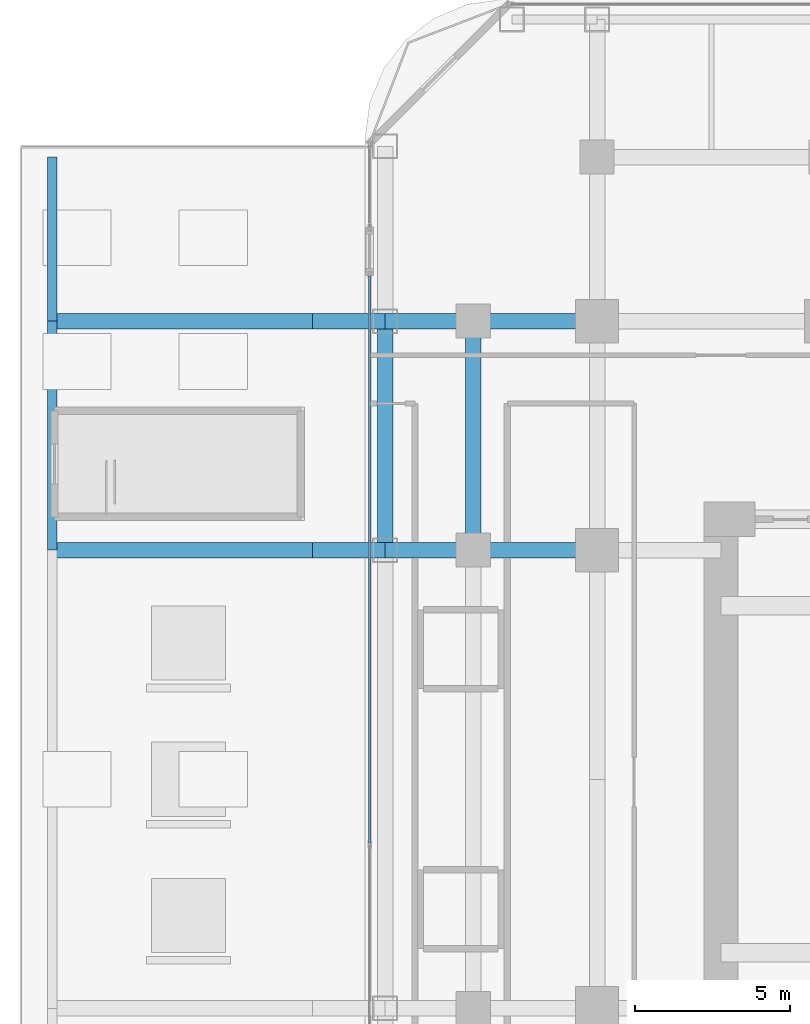
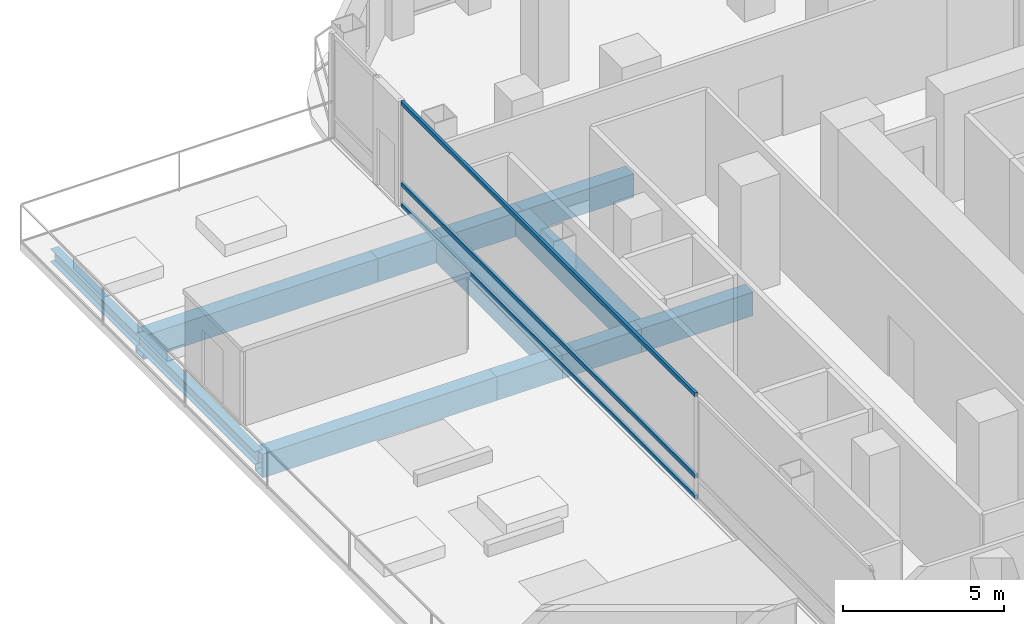
# One storey, part 13 of 29: 12 beams, 3 members, 1 element without a shape of its own.
"""IFC4 building model written with IfcOpenShell, lengths in metres."""

from ifc_helpers import new_model, si_unit, direction, frame, origin, origin_2d, place, context, subcontext, project, spatial, hollow_rectangle, i_section, extrude, material, layer, layer_set, material_profile, profile_set, type_object, element, aggregate, save


model = new_model("IFC4")

# Units and contexts
model_context = context("Model", 3, precision=1e-05, world=origin(), true_north=direction((0.0, 1.0)))
body_context = subcontext(model_context, "Body", "Model", "MODEL_VIEW")
ifc_project = project(units=[si_unit("LENGTHUNIT", "METRE"), si_unit("AREAUNIT", "SQUARE_METRE"), si_unit("VOLUMEUNIT", "CUBIC_METRE"), si_unit("PLANEANGLEUNIT", "RADIAN"), si_unit("MASSUNIT", "GRAM", prefix="KILO")], contexts=[model_context])

# Site, building, storey
site_placement = place(None, origin())
site = spatial("IfcSite", under=ifc_project, at=site_placement, CompositionType="ELEMENT")
building_placement = place(site_placement, origin())
building = spatial("IfcBuilding", under=site, at=building_placement, Name="Khorvyn Point Tower", CompositionType="ELEMENT")
storey_placement = place(building_placement, frame((0.0, 0.0, 26.39990234375)))
storey = spatial("IfcBuildingStorey", under=building, at=storey_placement, Name="L07", CompositionType="ELEMENT", Elevation=26.39990234375)

# Curtain wall, members
ifc_material_1 = material(Name="Anodised aluminium 6063-T6 and laminated Low-E glass", Category="aluminium")
ifc_layer = layer(ifc_material_1, 0.18994140625)
ifc_layer_set = layer_set([ifc_layer], Name="Stick-Built Finned Residential Curtain Wall CW-SYS-02")
curtain_wall_type = type_object("IfcCurtainWallType", Name="Stick-Built Finned Residential Curtain Wall CW-SYS-02", PredefinedType="NOTDEFINED", material=ifc_layer_set)
curtain_wall_placement = place(storey_placement, origin())
curtain_wall = element("IfcCurtainWall", 1, at=curtain_wall_placement, inside=storey, type_object=curtain_wall_type, Name="Curtain Wall", PredefinedType="NOTDEFINED")
ifc_material_2 = material(Name="Anodised aluminium 6063-T6", Category="aluminium")
ifc_material_profile_1 = material_profile(ifc_material_2, hollow_rectangle(XDim=0.10009765625, YDim=0.159912109375, WallThickness=0.00439453125, at=origin_2d()))
ifc_profile_set_1 = profile_set([ifc_material_profile_1], Name="Anodised aluminium 6063-T6 ALU-TRN-100x160")
member_type = type_object("IfcMemberType", Name="Anodised Aluminium 6063-T6 Transom ALU-TRN-100x160", PredefinedType="USERDEFINED", material=ifc_profile_set_1)
member_1_placement = place(storey_placement, frame((-22.14990234375, -2.054931640625, 0.050048828125), z_axis=(0.0, 1.0, 0.0), x_axis=(-1.0, 0.0, 0.0)))
member_1 = element("IfcMember", 2, at=member_1_placement, type_object=member_type, Name="Transom", ObjectType="TRANSOM", PredefinedType="USERDEFINED", context=body_context, shape_type="SweptSolid", body=[
    extrude(hollow_rectangle(XDim=0.10009765625, YDim=0.159912109375, WallThickness=0.00439453125, at=origin_2d()), origin(), (0.0, 0.0, 1.0), 18.294921875),
])
member_2_placement = place(storey_placement, frame((-22.14990234375, -2.054931640625, 0.85009765625), z_axis=(0.0, 1.0, 0.0), x_axis=(-1.0, 0.0, 0.0)))
member_2 = element("IfcMember", 3, at=member_2_placement, type_object=member_type, Name="Transom", ObjectType="TRANSOM", PredefinedType="USERDEFINED", context=body_context, shape_type="SweptSolid", body=[
    extrude(hollow_rectangle(XDim=0.10009765625, YDim=0.159912109375, WallThickness=0.00439453125, at=origin_2d()), origin(), (0.0, 0.0, 1.0), 18.294921875),
])
member_3_placement = place(storey_placement, frame((-22.14990234375, -2.054931640625, 3.93017578125), z_axis=(0.0, 1.0, 0.0), x_axis=(-1.0, 0.0, 0.0)))
member_3 = element("IfcMember", 4, at=member_3_placement, type_object=member_type, Name="Transom", ObjectType="TRANSOM", PredefinedType="USERDEFINED", context=body_context, shape_type="SweptSolid", body=[
    extrude(hollow_rectangle(XDim=0.10009765625, YDim=0.159912109375, WallThickness=0.00439453125, at=origin_2d()), origin(), (0.0, 0.0, 1.0), 18.294921875),
])
aggregate(curtain_wall, [member_1, member_2, member_3])

# Beams
ifc_material_3 = material(Name="Steel S355", Category="steel")
ifc_material_profile_2 = material_profile(ifc_material_3, i_section(OverallWidth=0.300048828125, OverallDepth=0.488037109375, WebThickness=0.010986328125, FlangeThickness=0.01806640625, at=origin_2d()))
ifc_profile_set_2 = profile_set([ifc_material_profile_2], Name="Steel S355 H488x300x11x18")
beam_type_1 = type_object("IfcBeamType", Name="Steel S355 Spandrel H488x300x11x18", PredefinedType="SPANDREL", material=ifc_profile_set_2)
beam_1_placement = place(storey_placement, frame((-32.39990234375, 7.39990234375, -0.56396484375), z_axis=(0.0, 1.0, 0.0), x_axis=(-1.0, 0.0, 0.0)))
element("IfcBeam", 5, at=beam_1_placement, inside=storey, type_object=beam_type_1, Name="Beam", PredefinedType="SPANDREL", context=body_context, shape_type="SweptSolid", body=[
    extrude(i_section(OverallWidth=0.300048828125, OverallDepth=0.488037109375, WebThickness=0.010986328125, FlangeThickness=0.01806640625, at=origin_2d()), origin(), (0.0, 0.0, 1.0), 7.400146484375),
])
beam_2_placement = place(storey_placement, frame((-32.39990234375, 14.800048828125, -0.56396484375), z_axis=(0.0, 1.0, 0.0), x_axis=(-1.0, 0.0, 0.0)))
element("IfcBeam", 6, at=beam_2_placement, inside=storey, type_object=beam_type_1, Name="Beam", PredefinedType="SPANDREL", context=body_context, shape_type="SweptSolid", body=[
    extrude(i_section(OverallWidth=0.300048828125, OverallDepth=0.488037109375, WebThickness=0.010986328125, FlangeThickness=0.01806640625, at=origin_2d()), origin(), (0.0, 0.0, 1.0), 5.300048828125),
])
ifc_material_4 = material(Name="Steel S450", Category="steel")
ifc_material_profile_3 = material_profile(ifc_material_4, hollow_rectangle(XDim=0.5, YDim=0.89990234375, WallThickness=0.0400390625, at=origin_2d()))
ifc_profile_set_3 = profile_set([ifc_material_profile_3], Name="Steel S450 BOX900x500x40")
beam_type_2 = type_object("IfcBeamType", Name="Steel S450 Beam BOX900x500x40", PredefinedType="BEAM", material=ifc_profile_set_3)
beam_3_placement = place(storey_placement, frame((-32.39990234375, 7.39990234375, -0.77001953125), z_axis=(1.0, 0.0, 0.0), x_axis=(0.0, 1.0, 0.0)))
element("IfcBeam", 7, at=beam_3_placement, inside=storey, type_object=beam_type_2, Name="Beam", PredefinedType="BEAM", context=body_context, shape_type="SweptSolid", body=[
    extrude(hollow_rectangle(XDim=0.5, YDim=0.89990234375, WallThickness=0.0400390625, at=origin_2d()), origin(), (0.0, 0.0, 1.0), 8.39990234375),
])
beam_4_placement = place(storey_placement, frame((-24.0, 7.39990234375, -0.77001953125), z_axis=(1.0, 0.0, 0.0), x_axis=(0.0, 1.0, 0.0)))
element("IfcBeam", 8, at=beam_4_placement, inside=storey, type_object=beam_type_2, Name="Beam", PredefinedType="BEAM", context=body_context, shape_type="SweptSolid", body=[
    extrude(hollow_rectangle(XDim=0.5, YDim=0.89990234375, WallThickness=0.0400390625, at=origin_2d()), origin(), (0.0, 0.0, 1.0), 2.35009765625),
])
beam_5_placement = place(storey_placement, frame((-32.39990234375, 14.800048828125, -0.77001953125), z_axis=(1.0, 0.0, 0.0), x_axis=(0.0, 1.0, 0.0)))
element("IfcBeam", 9, at=beam_5_placement, inside=storey, type_object=beam_type_2, Name="Beam", PredefinedType="BEAM", context=body_context, shape_type="SweptSolid", body=[
    extrude(hollow_rectangle(XDim=0.5, YDim=0.89990234375, WallThickness=0.0400390625, at=origin_2d()), origin(), (0.0, 0.0, 1.0), 8.39990234375),
])
beam_6_placement = place(storey_placement, frame((-24.0, 14.800048828125, -0.77001953125), z_axis=(1.0, 0.0, 0.0), x_axis=(0.0, 1.0, 0.0)))
element("IfcBeam", 10, at=beam_6_placement, inside=storey, type_object=beam_type_2, Name="Beam", PredefinedType="BEAM", context=body_context, shape_type="SweptSolid", body=[
    extrude(hollow_rectangle(XDim=0.5, YDim=0.89990234375, WallThickness=0.0400390625, at=origin_2d()), origin(), (0.0, 0.0, 1.0), 2.35009765625),
])
beam_7_placement = place(storey_placement, frame((-21.64990234375, 7.39990234375, -0.77001953125), z_axis=(0.0, 1.0, 0.0), x_axis=(-1.0, 0.0, 0.0)))
element("IfcBeam", 11, at=beam_7_placement, inside=storey, type_object=beam_type_2, Name="Beam", PredefinedType="BEAM", context=body_context, shape_type="SweptSolid", body=[
    extrude(hollow_rectangle(XDim=0.5, YDim=0.89990234375, WallThickness=0.0400390625, at=origin_2d()), origin(), (0.0, 0.0, 1.0), 7.400146484375),
])
beam_8_placement = place(storey_placement, frame((-21.64990234375, 14.800048828125, -0.77001953125), z_axis=(1.0, 0.0, 0.0), x_axis=(0.0, 1.0, 0.0)))
element("IfcBeam", 12, at=beam_8_placement, inside=storey, type_object=beam_type_2, Name="L07 Radial Transfer Girder", PredefinedType="BEAM", context=body_context, shape_type="SweptSolid", body=[
    extrude(hollow_rectangle(XDim=0.5, YDim=0.89990234375, WallThickness=0.0400390625, at=origin_2d()), origin(), (0.0, 0.0, 1.0), 2.849853515625),
])
beam_9_placement = place(storey_placement, frame((-18.800048828125, 14.800048828125, -0.77001953125), z_axis=(1.0, 0.0, 0.0), x_axis=(0.0, 1.0, 0.0)))
element("IfcBeam", 13, at=beam_9_placement, inside=storey, type_object=beam_type_2, Name="L07 Radial Transfer Girder", PredefinedType="BEAM", context=body_context, shape_type="SweptSolid", body=[
    extrude(hollow_rectangle(XDim=0.5, YDim=0.89990234375, WallThickness=0.0400390625, at=origin_2d()), origin(), (0.0, 0.0, 1.0), 4.0),
])
beam_10_placement = place(storey_placement, frame((-21.64990234375, 7.39990234375, -0.77001953125), z_axis=(1.0, 0.0, 0.0), x_axis=(0.0, 1.0, 0.0)))
element("IfcBeam", 14, at=beam_10_placement, inside=storey, type_object=beam_type_2, Name="Beam", PredefinedType="BEAM", context=body_context, shape_type="SweptSolid", body=[
    extrude(hollow_rectangle(XDim=0.5, YDim=0.89990234375, WallThickness=0.0400390625, at=origin_2d()), origin(), (0.0, 0.0, 1.0), 2.849853515625),
])
beam_11_placement = place(storey_placement, frame((-18.800048828125, 7.39990234375, -0.77001953125), z_axis=(1.0, 0.0, 0.0), x_axis=(0.0, 1.0, 0.0)))
element("IfcBeam", 15, at=beam_11_placement, inside=storey, type_object=beam_type_2, Name="Beam", PredefinedType="BEAM", context=body_context, shape_type="SweptSolid", body=[
    extrude(hollow_rectangle(XDim=0.5, YDim=0.89990234375, WallThickness=0.0400390625, at=origin_2d()), origin(), (0.0, 0.0, 1.0), 4.0),
])
beam_12_placement = place(storey_placement, frame((-18.800048828125, 7.39990234375, -0.77001953125), z_axis=(0.0, 1.0, 0.0), x_axis=(-1.0, 0.0, 0.0)))
element("IfcBeam", 16, at=beam_12_placement, inside=storey, type_object=beam_type_2, Name="Beam", PredefinedType="BEAM", context=body_context, shape_type="SweptSolid", body=[
    extrude(hollow_rectangle(XDim=0.5, YDim=0.89990234375, WallThickness=0.0400390625, at=origin_2d()), origin(), (0.0, 0.0, 1.0), 7.400146484375),
])

save(model, "model.ifc")
